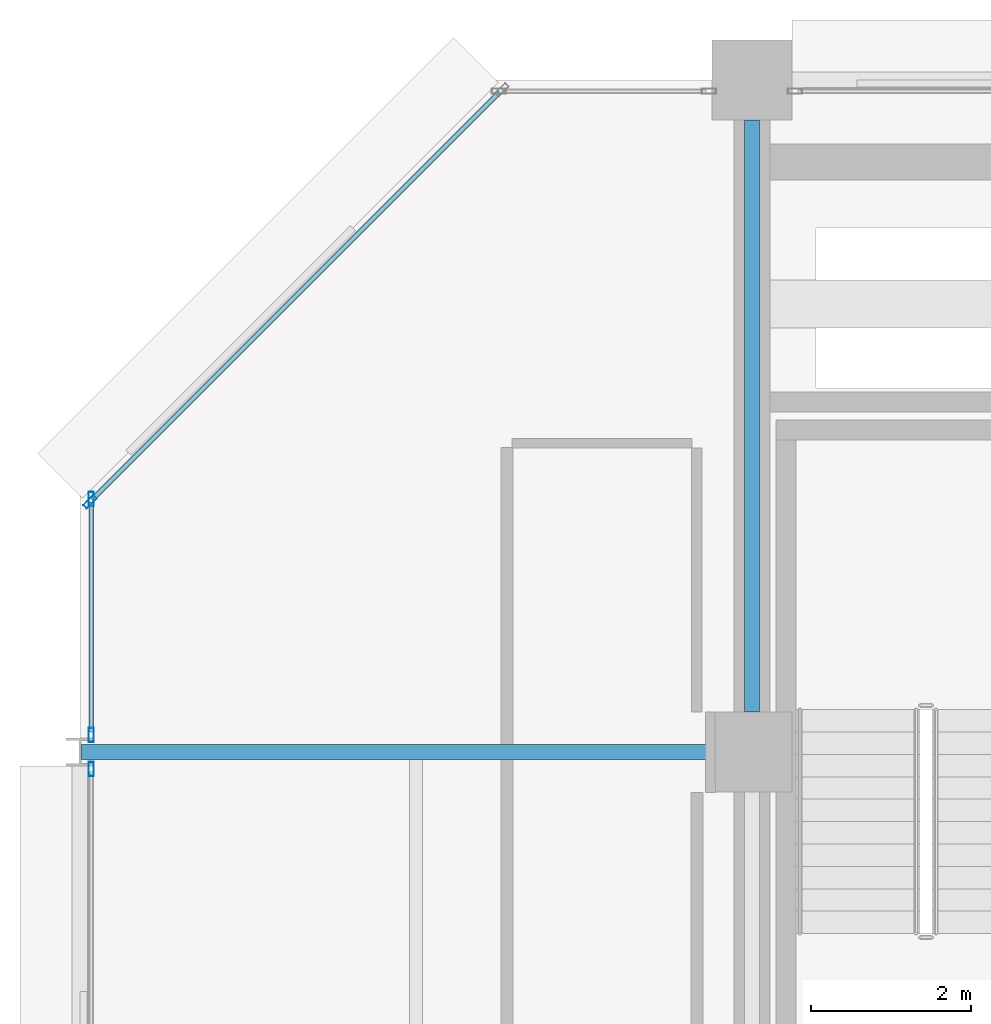
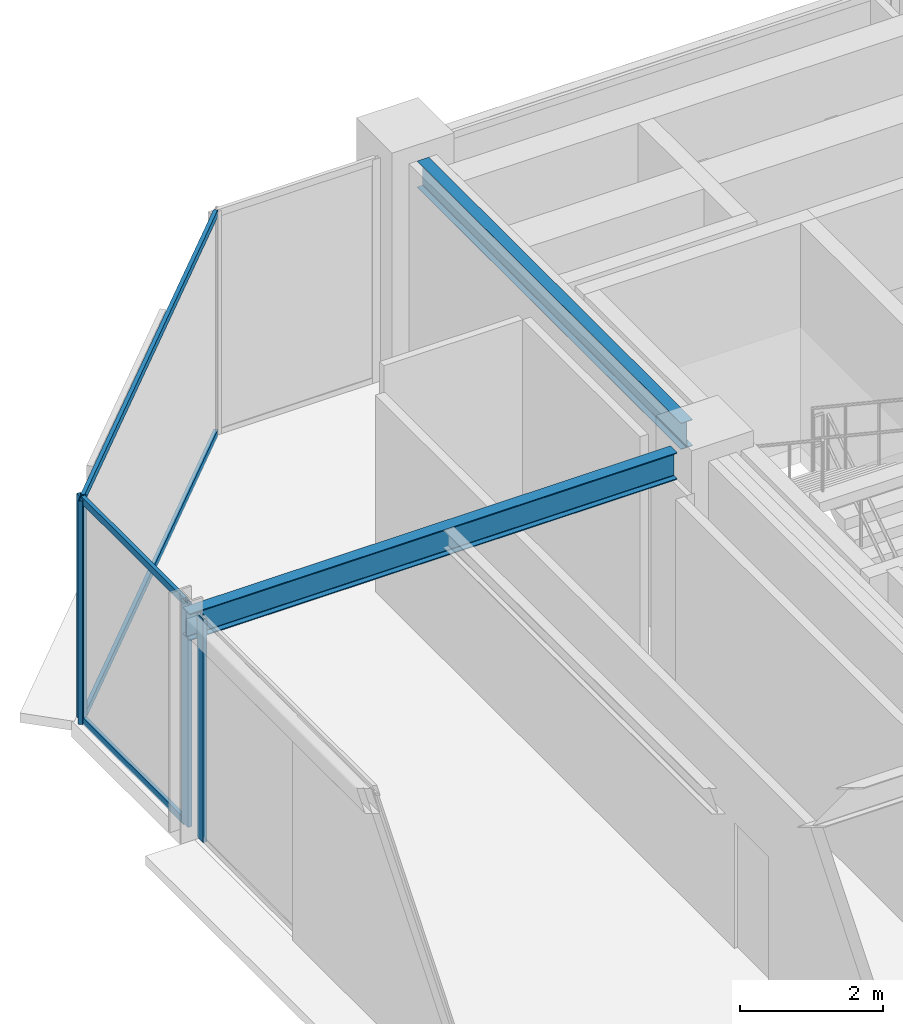
# One storey, part 16 of 26: 8 members, 2 beams, 3 elements without a shape of their own.
"""IFC4 building model written with IfcOpenShell, lengths in metres."""

from ifc_helpers import new_model, si_unit, direction, frame, origin, origin_2d, place, context, subcontext, project, spatial, hollow_rectangle, i_section, extrude, material, layer, layer_set, material_profile, profile_set, type_object, element, aggregate, save


model = new_model("IFC4")

# Units and contexts
model_context = context("Model", 3, precision=1e-05, world=origin(), true_north=direction((0.0, 1.0)))
body_context = subcontext(model_context, "Body", "Model", "MODEL_VIEW")
ifc_project = project(units=[si_unit("LENGTHUNIT", "METRE"), si_unit("AREAUNIT", "SQUARE_METRE"), si_unit("VOLUMEUNIT", "CUBIC_METRE"), si_unit("PLANEANGLEUNIT", "RADIAN"), si_unit("MASSUNIT", "GRAM", prefix="KILO")], contexts=[model_context])

# Site, building, storey
site_placement = place(None, origin())
site = spatial("IfcSite", under=ifc_project, at=site_placement, CompositionType="ELEMENT")
building_placement = place(site_placement, origin())
building = spatial("IfcBuilding", under=site, at=building_placement, Name="Nerrivon Quay Data Exchange", CompositionType="ELEMENT")
storey_placement = place(building_placement, frame((0.0, 0.0, 228.800048828125)))
storey = spatial("IfcBuildingStorey", under=building, at=storey_placement, Name="L54", CompositionType="ELEMENT", Elevation=228.800048828125)

# Beams
ifc_material_1 = material(Name="Steel Grade 350", Category="steel")
ifc_material_profile_1 = material_profile(ifc_material_1, i_section(OverallWidth=0.19091796875, OverallDepth=0.4599609375, WebThickness=0.010009765625, FlangeThickness=0.01611328125, FilletRadius=0.011474609375, at=origin_2d()), Name="460UB82.1")
ifc_profile_set_1 = profile_set([ifc_material_profile_1], Name="Steel Grade 350")
beam_type_1 = type_object("IfcBeamType", Name="BM-G5-460UB82", PredefinedType="BEAM", material=ifc_profile_set_1)
beam_1_placement = place(storey_placement, frame((0.010009765625, 33.60009765625, 3.594970703125), z_axis=(1.0, 0.0, 0.0), x_axis=(0.0, 1.0, 0.0)))
element("IfcBeam", 1, at=beam_1_placement, inside=storey, type_object=beam_type_1, Name="L54 EW Girder Y=33.6 (0.0..8.4)", PredefinedType="BEAM", context=body_context, shape_type="SweptSolid", body=[
    extrude(i_section(OverallWidth=0.19091796875, OverallDepth=0.4599609375, WebThickness=0.010009765625, FlangeThickness=0.01611328125, FilletRadius=0.011474609375, at=origin_2d()), origin(), (0.0, 0.0, 1.0), 7.889892578125),
])
ifc_material_profile_2 = material_profile(ifc_material_1, i_section(OverallWidth=0.18994140625, OverallDepth=0.4541015625, WebThickness=0.008544921875, FlangeThickness=0.0126953125, FilletRadius=0.011474609375, at=origin_2d()), Name="460UB67.1")
ifc_profile_set_2 = profile_set([ifc_material_profile_2], Name="Steel Grade 350")
beam_type_2 = type_object("IfcBeamType", Name="BM-G6-460UB67", PredefinedType="BEAM", material=ifc_profile_set_2)
beam_2_placement = place(storey_placement, frame((8.39990234375, 34.10009765625, 3.597900390625), z_axis=(0.0, 1.0, 0.0), x_axis=(-1.0, 0.0, 0.0)))
element("IfcBeam", 2, at=beam_2_placement, inside=storey, type_object=beam_type_2, Name="L54 NS Girder X=8.4 (33.6..42.0)", PredefinedType="BEAM", context=body_context, shape_type="SweptSolid", body=[
    extrude(i_section(OverallWidth=0.18994140625, OverallDepth=0.4541015625, WebThickness=0.008544921875, FlangeThickness=0.0126953125, FilletRadius=0.011474609375, at=origin_2d()), origin(), (0.0, 0.0, 1.0), 7.39990234375),
])

# Curtain wall, member
ifc_material_2 = material(Name="Anodised aluminium 6063-T6", Category="aluminium")
ifc_layer = layer(ifc_material_2, 0.195068359375)
ifc_layer_set = layer_set([ifc_layer], Name="Anodised aluminium 6063-T6")
curtain_wall_type = type_object("IfcCurtainWallType", Name="CW-SYS-06", PredefinedType="NOTDEFINED", material=ifc_layer_set)
curtain_wall_1_placement = place(storey_placement, origin())
curtain_wall_1 = element("IfcCurtainWall", 3, at=curtain_wall_1_placement, inside=storey, type_object=curtain_wall_type, Name="L54 Unitised Curtain Wall 14", PredefinedType="NOTDEFINED")
ifc_material_profile_3 = material_profile(ifc_material_2, hollow_rectangle(XDim=0.06494140625, YDim=0.179931640625, WallThickness=0.00341796875, at=origin_2d()), Name="ALU-MULL-180x65")
ifc_profile_set_3 = profile_set([ifc_material_profile_3], Name="Anodised aluminium 6063-T6")
member_type_1 = type_object("IfcMemberType", Name="CWM-180x65", PredefinedType="MULLION", material=ifc_profile_set_3)
member_1_placement = place(storey_placement, frame((0.139892578125, 33.387451171875, 0.0), z_axis=(0.0, 0.0, 1.0), x_axis=(-1.0, 0.0, 0.0)))
member_1 = element("IfcMember", 4, at=member_1_placement, type_object=member_type_1, Name="CW06 mullion 2", PredefinedType="MULLION", context=body_context, shape_type="SweptSolid", body=[
    extrude(hollow_rectangle(XDim=0.06494140625, YDim=0.179931640625, WallThickness=0.00341796875, at=origin_2d()), origin(), (0.0, 0.0, 1.0), 3.824951171875),
])
aggregate(curtain_wall_1, [member_1])

# Curtain wall, members
curtain_wall_2_placement = place(storey_placement, origin())
curtain_wall_2 = element("IfcCurtainWall", 5, at=curtain_wall_2_placement, inside=storey, type_object=curtain_wall_type, Name="L54 Unitised Curtain Wall 15", PredefinedType="NOTDEFINED")
member_2_placement = place(storey_placement, frame((0.139892578125, 33.8125, 0.0), z_axis=(0.0, 0.0, 1.0), x_axis=(-1.0, 0.0, 0.0)))
member_2 = element("IfcMember", 6, at=member_2_placement, type_object=member_type_1, Name="CW06 mullion 1", PredefinedType="MULLION", context=body_context, shape_type="SweptSolid", body=[
    extrude(hollow_rectangle(XDim=0.06494140625, YDim=0.179931640625, WallThickness=0.00341796875, at=origin_2d()), origin(), (0.0, 0.0, 1.0), 3.824951171875),
])
member_3_placement = place(storey_placement, frame((0.139892578125, 36.762451171875, 0.0), z_axis=(0.0, 0.0, 1.0), x_axis=(-1.0, 0.0, 0.0)))
member_3 = element("IfcMember", 7, at=member_3_placement, type_object=member_type_1, Name="CW06 mullion 2", PredefinedType="MULLION", context=body_context, shape_type="SweptSolid", body=[
    extrude(hollow_rectangle(XDim=0.06494140625, YDim=0.179931640625, WallThickness=0.00341796875, at=origin_2d()), origin(), (0.0, 0.0, 1.0), 3.824951171875),
])

# Curtain wall, member
curtain_wall_3_placement = place(storey_placement, origin())
curtain_wall_3 = element("IfcCurtainWall", 8, at=curtain_wall_3_placement, inside=storey, type_object=curtain_wall_type, Name="L54 Unitised Curtain Wall 16", PredefinedType="NOTDEFINED")
member_4_placement = place(storey_placement, frame((0.12548828125, 36.7275390625, 0.0), z_axis=(0.0, 0.0, 1.0), x_axis=(-0.707106781187, 0.707106781187, 0.0)))
member_4 = element("IfcMember", 9, at=member_4_placement, type_object=member_type_1, Name="CW06 mullion 1", PredefinedType="MULLION", context=body_context, shape_type="SweptSolid", body=[
    extrude(hollow_rectangle(XDim=0.06494140625, YDim=0.179931640625, WallThickness=0.00341796875, at=origin_2d()), origin(), (0.0, 0.0, 1.0), 3.824951171875),
])

# Member
ifc_material_profile_4 = material_profile(ifc_material_2, hollow_rectangle(XDim=0.06005859375, YDim=0.1201171875, WallThickness=0.003173828125, at=origin_2d()), Name="ALU-TRAN-120x60")
ifc_profile_set_4 = profile_set([ifc_material_profile_4], Name="Anodised aluminium 6063-T6")
member_type_2 = type_object("IfcMemberType", Name="CWT-120x60", PredefinedType="USERDEFINED", material=ifc_profile_set_4)
member_5_placement = place(storey_placement, frame((0.139892578125, 33.85009765625, 0.032470703125), z_axis=(0.0, 1.0, 0.0), x_axis=(-1.0, 0.0, 0.0)))
member_5 = element("IfcMember", 10, at=member_5_placement, type_object=member_type_2, Name="CW06 transom 1.1", ObjectType="TRANSOM", PredefinedType="USERDEFINED", context=body_context, shape_type="SweptSolid", body=[
    extrude(hollow_rectangle(XDim=0.06005859375, YDim=0.1201171875, WallThickness=0.003173828125, at=origin_2d()), origin(), (0.0, 0.0, 1.0), 2.875),
])

member_6_placement = place(storey_placement, frame((0.139892578125, 33.85009765625, 3.79248046875), z_axis=(0.0, 1.0, 0.0), x_axis=(-1.0, 0.0, 0.0)))
member_6 = element("IfcMember", 11, at=member_6_placement, type_object=member_type_2, Name="CW06 transom 1.2", ObjectType="TRANSOM", PredefinedType="USERDEFINED", context=body_context, shape_type="SweptSolid", body=[
    extrude(hollow_rectangle(XDim=0.06005859375, YDim=0.1201171875, WallThickness=0.003173828125, at=origin_2d()), origin(), (0.0, 0.0, 1.0), 2.875),
])

aggregate(curtain_wall_2, [member_2, member_3, member_5, member_6])

member_7_placement = place(storey_placement, frame((0.152099609375, 36.754150390625, 0.032470703125), z_axis=(0.707106781187, 0.707106781187, 0.0), x_axis=(-0.707106781187, 0.707106781187, 0.0)))
member_7 = element("IfcMember", 12, at=member_7_placement, type_object=member_type_2, Name="CW06 transom 1.1", ObjectType="TRANSOM", PredefinedType="USERDEFINED", context=body_context, shape_type="SweptSolid", body=[
    extrude(hollow_rectangle(XDim=0.06005859375, YDim=0.1201171875, WallThickness=0.003173828125, at=origin_2d()), origin(), (0.0, 0.0, 1.0), 7.20361328125),
])

member_8_placement = place(storey_placement, frame((0.152099609375, 36.754150390625, 3.79248046875), z_axis=(0.707106781187, 0.707106781187, 0.0), x_axis=(-0.707106781187, 0.707106781187, 0.0)))
member_8 = element("IfcMember", 13, at=member_8_placement, type_object=member_type_2, Name="CW06 transom 1.2", ObjectType="TRANSOM", PredefinedType="USERDEFINED", context=body_context, shape_type="SweptSolid", body=[
    extrude(hollow_rectangle(XDim=0.06005859375, YDim=0.1201171875, WallThickness=0.003173828125, at=origin_2d()), origin(), (0.0, 0.0, 1.0), 7.20361328125),
])

aggregate(curtain_wall_3, [member_4, member_7, member_8])

save(model, "model.ifc")
